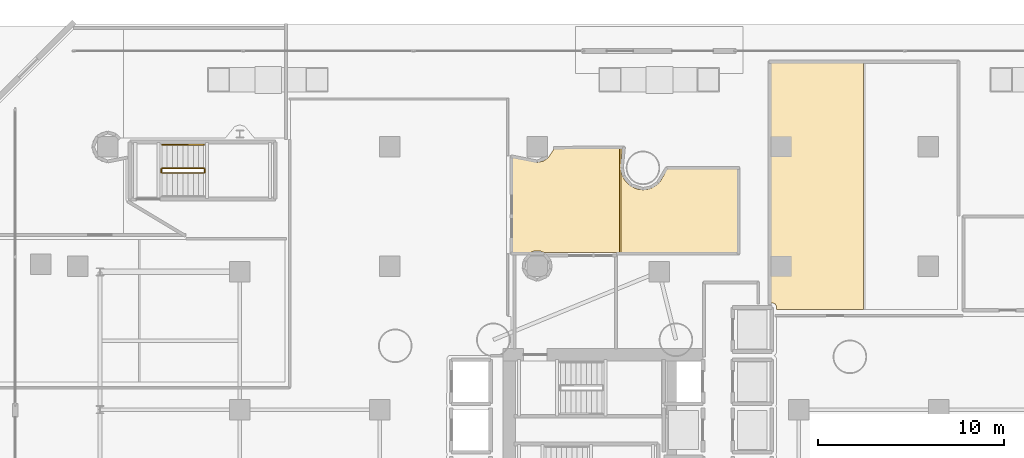
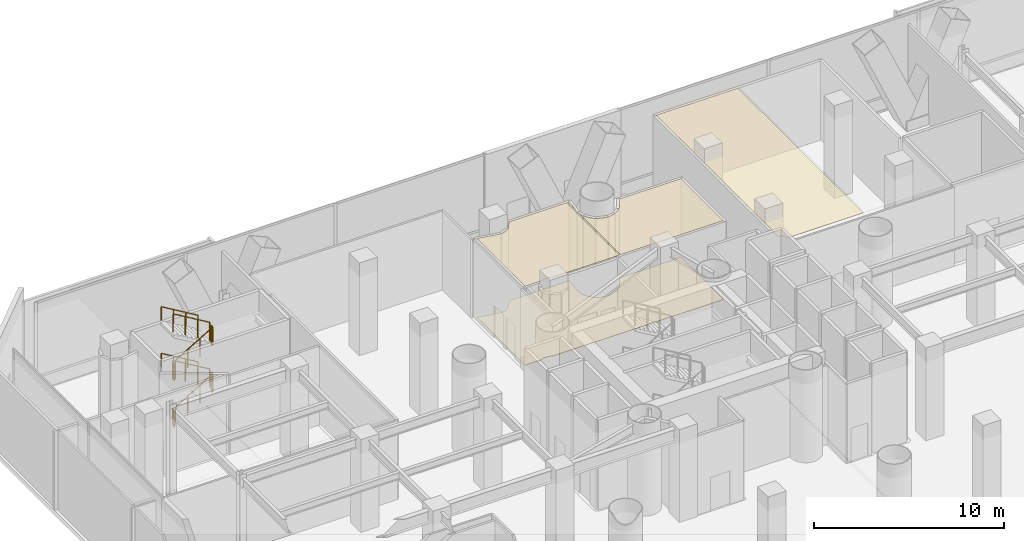
# One storey, part 38 of 40: 10 railings, 4 coverings.
"""IFC4 building model written with IfcOpenShell, lengths in metres."""

import ifcopenshell
import ifcopenshell.guid

model = None  # the IFC model being written
_history = None  # IfcOwnerHistory: only IFC2X3 demands one
_inside = {}  # id of a spatial element -> (the spatial element, [elements in it])
_under = {}  # id of a project, library or spatial element -> (it, [spatial elements below it])
_declared = {}  # id of a project -> (the project, [libraries it declares])
_typed = {}  # id of a type object -> (the type object, [elements of that type])
_made_of = {}  # id of a material, layer set ... -> (it, [elements and type objects made of it])


def new_model(schema):
    """Start an empty IFC model of exactly this schema.

    Asked for "IFC4X3", IfcOpenShell would pick the latest addendum, in which some entities
    have other attributes; the version numbers below select the first issue.
    IFC2X3 requires an IfcOwnerHistory on every rooted entity: one is made here for all.
    """
    global model, _history
    if schema == "IFC4X3":
        model = ifcopenshell.file(schema_version=(4, 3, 0, 0))
    else:
        model = ifcopenshell.file(schema=schema)
    _inside.clear()
    _under.clear()
    _declared.clear()
    _typed.clear()
    _made_of.clear()
    _history = None
    if model.schema == "IFC2X3":
        org = make("IfcOrganization", Name="unknown")
        user = make(
            "IfcPersonAndOrganization",
            ThePerson=make("IfcPerson", FamilyName="unknown"),
            TheOrganization=org,
        )
        app = make(
            "IfcApplication",
            ApplicationDeveloper=org,
            Version="unknown",
            ApplicationFullName="unknown",
            ApplicationIdentifier="unknown",
        )
        _history = make(
            "IfcOwnerHistory",
            OwningUser=user,
            OwningApplication=app,
            ChangeAction="ADDED",
            CreationDate=0,
        )
    return model


def make(cls, **values):
    """One entity of the class cls with the attributes given. An attribute that is None is left unset."""
    return model.create_entity(
        cls, **{name: value for name, value in values.items() if value is not None}
    )


def rooted(cls, **values):
    """An entity with a GlobalId (a new one), such as an element, a storey or a relation."""
    return make(cls, GlobalId=ifcopenshell.guid.new(), OwnerHistory=_history, **values)


def si_unit(unit_type, name, prefix=None):
    """IfcSIUnit, for example si_unit("LENGTHUNIT", "METRE", prefix="MILLI")."""
    return make("IfcSIUnit", UnitType=unit_type, Prefix=prefix, Name=name)


def assignment(units):
    """IfcUnitAssignment: the units of a project."""
    return None if units is None else make("IfcUnitAssignment", Units=units)


def point(xyz):
    """IfcCartesianPoint."""
    return None if xyz is None else make("IfcCartesianPoint", Coordinates=xyz)


def direction(xyz):
    """IfcDirection."""
    return None if xyz is None else make("IfcDirection", DirectionRatios=xyz)


def frame(location, z_axis=None, x_axis=None):
    """IfcAxis2Placement3D, a coordinate frame: its origin and axes. An axis left out is left unset."""
    return make(
        "IfcAxis2Placement3D",
        Location=point(location),
        Axis=direction(z_axis),
        RefDirection=direction(x_axis),
    )


def frame_2d(location, x_axis=None):
    """IfcAxis2Placement2D, a coordinate frame in the plane: its origin and x axis."""
    return make(
        "IfcAxis2Placement2D", Location=point(location), RefDirection=direction(x_axis)
    )


def origin():
    """The frame at (0, 0, 0) with its axes left unset."""
    return frame((0.0, 0.0, 0.0))


def origin_2d():
    """The frame at (0, 0) in the plane with its x axis left unset."""
    return frame_2d((0.0, 0.0))


def place(relative_to, where):
    """IfcLocalPlacement: puts the frame where relative to a parent placement (None: the world)."""
    return make(
        "IfcLocalPlacement", PlacementRelTo=relative_to, RelativePlacement=where
    )


def context(
    kind, dimensions, precision=None, world=None, true_north=None, identifier=None
):
    """IfcGeometricRepresentationContext, for example the 3D "Model" context."""
    return make(
        "IfcGeometricRepresentationContext",
        ContextIdentifier=identifier,
        ContextType=kind,
        CoordinateSpaceDimension=dimensions,
        Precision=precision,
        WorldCoordinateSystem=world,
        TrueNorth=true_north,
    )


def subcontext(parent, identifier, kind, view, scale=None):
    """IfcGeometricRepresentationSubContext, for example "Body" below "Model"."""
    return make(
        "IfcGeometricRepresentationSubContext",
        ContextIdentifier=identifier,
        ContextType=kind,
        ParentContext=parent,
        TargetScale=scale,
        TargetView=view,
    )


def project(units=None, contexts=None):
    """IfcProject with its units and contexts."""
    return rooted(
        "IfcProject",
        Name="project",
        RepresentationContexts=contexts,
        UnitsInContext=assignment(units),
    )


def spatial(cls, under=None, at=None, **own):
    """A site, building, storey or space (cls), placed at a placement, below another one or the project."""
    s = rooted(cls, ObjectPlacement=at, **own)
    if under is not None:
        _under.setdefault(under.id(), (under, []))[1].append(s)
    return s


def polyline(points):
    """IfcPolyline through the points."""
    return make("IfcPolyline", Points=[point(p) for p in points])


def profile(cls, at=None, kind="AREA", **sizes):
    """A parametric profile (cls). Its sizes go by their IFC names, for example OverallWidth=200.0."""
    return make(cls, ProfileType=kind, Position=at, **sizes)


def rectangle(**sizes):
    """IfcRectangleProfileDef."""
    return profile("IfcRectangleProfileDef", **sizes)


def outline(outer, holes=None, kind="AREA"):
    """IfcArbitraryClosedProfileDef: a profile drawn as a closed curve; with holes, ...WithVoids."""
    if holes is None:
        return make("IfcArbitraryClosedProfileDef", ProfileType=kind, OuterCurve=outer)
    return make(
        "IfcArbitraryProfileDefWithVoids",
        ProfileType=kind,
        OuterCurve=outer,
        InnerCurves=holes,
    )


def extrude(swept, where, along, depth):
    """IfcExtrudedAreaSolid: the profile swept, set in the frame where, extruded along a direction by depth."""
    return make(
        "IfcExtrudedAreaSolid",
        SweptArea=swept,
        Position=where,
        ExtrudedDirection=direction(along),
        Depth=depth,
    )


def shape(context_of_items, identifier, shape_type, items):
    """IfcShapeRepresentation: the items that make up one representation, for example the "Body"."""
    return make(
        "IfcShapeRepresentation",
        ContextOfItems=context_of_items,
        RepresentationIdentifier=identifier,
        RepresentationType=shape_type,
        Items=items,
    )


def material(Name=None, Category=None):
    """IfcMaterial."""
    return make("IfcMaterial", Name=Name, Category=Category)


def layer(
    of_material, thickness, ventilated=None, Name=None, Category=None, Priority=None
):
    """IfcMaterialLayer: one layer of a wall or slab, of a material (None: an air gap)."""
    return make(
        "IfcMaterialLayer",
        Material=of_material,
        LayerThickness=thickness,
        IsVentilated=ventilated,
        Name=Name,
        Category=Category,
        Priority=Priority,
    )


def layer_set(layers, Name=None):
    """IfcMaterialLayerSet."""
    return make("IfcMaterialLayerSet", MaterialLayers=layers, LayerSetName=Name)


def made_of(thing, what):
    """Note that an element or type object is made of a material, layer set ...; save() writes the relation."""
    if what is not None:
        _made_of.setdefault(what.id(), (what, []))[1].append(thing)
    return thing


def type_object(cls, material=None, **own):
    """A type object (cls), such as IfcWallType, which elements share."""
    return made_of(rooted(cls, **own), material)


def element(
    cls,
    number,
    at=None,
    inside=None,
    cuts=None,
    type_object=None,
    material=None,
    context=None,
    identifier="Body",
    shape_type=None,
    held_by="IfcProductDefinitionShape",
    body=None,
    shapes=None,
    **own,
):
    """One element of the class cls, such as IfcWall. Its Tag is "e" and its number.

    at: its placement. inside: the storey or other place that contains it. cuts: it is an
    opening in that element (IfcRelVoidsElement). A single representation is given by context,
    identifier, shape_type and body (its items); several are given by shapes. held_by: the class
    of the entity that holds the representations. save() writes the other relations.
    """
    e = rooted(cls, Tag="e%d" % number, ObjectPlacement=at, **own)
    if body is not None:
        shapes = [shape(context, identifier, shape_type, body)]
    if shapes is not None:
        e.Representation = make(held_by, Representations=shapes)
    if inside is not None:
        _inside.setdefault(inside.id(), (inside, []))[1].append(e)
    if cuts is not None:
        rooted(
            "IfcRelVoidsElement", RelatingBuildingElement=cuts, RelatedOpeningElement=e
        )
    if type_object is not None:
        _typed.setdefault(type_object.id(), (type_object, []))[1].append(e)
    return made_of(e, material)


def aggregate(whole, parts):
    """IfcRelAggregates: a whole, such as a stair, and the parts it consists of."""
    return rooted("IfcRelAggregates", RelatingObject=whole, RelatedObjects=parts)


def save(model, path):
    """Write the relations noted so far, then the file.

    IfcRelAggregates (storeys below a building ...), IfcRelContainedInSpatialStructure (elements
    in a storey), IfcRelDefinesByType, IfcRelAssociatesMaterial and IfcRelDeclares: one each for
    every whole, place, type object, material and project.
    """
    for whole, parts in _under.values():
        aggregate(whole, parts)
    for where, things in _inside.values():
        rooted(
            "IfcRelContainedInSpatialStructure",
            RelatedElements=things,
            RelatingStructure=where,
        )
    for kind, things in _typed.values():
        rooted("IfcRelDefinesByType", RelatedObjects=things, RelatingType=kind)
    for what, things in _made_of.values():
        rooted("IfcRelAssociatesMaterial", RelatedObjects=things, RelatingMaterial=what)
    for by, libraries in _declared.values():
        rooted("IfcRelDeclares", RelatingContext=by, RelatedDefinitions=libraries)
    model.write(path)


model = new_model("IFC4")

# Units and contexts
model_context = context("Model", 3, precision=1e-05, world=origin(), true_north=direction((0.0, 1.0)))
body_context = subcontext(model_context, "Body", "Model", "MODEL_VIEW")
ifc_project = project(units=[si_unit("LENGTHUNIT", "METRE"), si_unit("AREAUNIT", "SQUARE_METRE"), si_unit("VOLUMEUNIT", "CUBIC_METRE"), si_unit("PLANEANGLEUNIT", "RADIAN"), si_unit("MASSUNIT", "GRAM", prefix="KILO")], contexts=[model_context])

# Site, building, storey
site_placement = place(None, origin())
site = spatial("IfcSite", under=ifc_project, at=site_placement, CompositionType="ELEMENT")
building_placement = place(site_placement, origin())
building = spatial("IfcBuilding", under=site, at=building_placement, Name="Qianvela Tower", CompositionType="ELEMENT")
storey_placement = place(building_placement, origin())
storey = spatial("IfcBuildingStorey", under=building, at=storey_placement, Name="L00", CompositionType="ELEMENT", Elevation=0.0)

# Coverings
ifc_material_1 = material(Name="Perforated Mineral Acoustic Ceiling Tile")
ifc_layer_1 = layer(ifc_material_1, 0.02490234375)
ifc_layer_set_1 = layer_set([ifc_layer_1], Name="Perforated Mineral Acoustic Ceiling Tile")
covering_type_1 = type_object("IfcCoveringType", Name="COV-CEIL-ACOUSTIC-25", PredefinedType="CEILING", material=ifc_layer_set_1)
covering_1_placement = place(storey_placement, frame((0.0, 0.0, 5.074951171875)))
element("IfcCovering", 1, at=covering_1_placement, inside=storey, type_object=covering_type_1, Name="L00 Acoustic Ceiling Bay 1 L00 Protected Exit Passageway North", PredefinedType="CEILING", context=body_context, shape_type="SweptSolid", body=[
    extrude(outline(polyline([(30.939697265625, 43.071533203125), (30.947509765625, 43.0703125), (30.955322265625, 43.070068359375), (30.963134765625, 43.0703125), (30.970947265625, 43.071533203125), (31.258056640625, 43.128662109375), (31.265625, 43.130615234375), (31.27294921875, 43.13330078125), (31.280029296875, 43.136474609375), (31.286865234375, 43.140625), (31.5302734375, 43.30322265625), (31.53662109375, 43.307861328125), (31.542236328125, 43.31298828125), (31.547607421875, 43.31884765625), (31.55224609375, 43.3251953125), (31.873046875, 43.805419921875), (35.367919921875, 43.814208984375), (35.367919921875, 38.239990234375), (31.318359375, 38.239990234375), (31.129638671875, 38.310546875), (31.122802734375, 38.312744140625), (31.115966796875, 38.314208984375), (31.10888671875, 38.315185546875), (31.101806640625, 38.315673828125), (30.80908203125, 38.315673828125), (30.802001953125, 38.315185546875), (30.794921875, 38.314208984375), (30.787841796875, 38.312744140625), (30.781005859375, 38.310546875), (30.59228515625, 38.239990234375), (29.6298828125, 38.239990234375), (29.6298828125, 43.33203125), (30.939697265625, 43.071533203125)])), origin(), (0.0, 0.0, 1.0), 0.025146484375),
])
covering_2_placement = place(storey_placement, frame((0.0, 0.0, 5.074951171875)))
element("IfcCovering", 2, at=covering_2_placement, inside=storey, type_object=covering_type_1, Name="L00 Acoustic Ceiling Bay 2 L00 Protected Exit Passageway North", PredefinedType="CEILING", context=body_context, shape_type="SweptSolid", body=[
    extrude(outline(polyline([(35.5537109375, 43.814697265625), (35.452392578125, 42.785888671875), (35.451904296875, 42.778076171875), (35.452392578125, 42.770263671875), (35.473388671875, 42.5556640625), (35.474609375, 42.5478515625), (35.4765625, 42.540283203125), (35.539306640625, 42.333740234375), (35.541748046875, 42.326416015625), (35.545166015625, 42.3193359375), (35.646728515625, 42.129150390625), (35.65087890625, 42.122314453125), (35.655517578125, 42.1162109375), (35.792236328125, 41.949462890625), (35.797607421875, 41.943603515625), (35.803466796875, 41.938232421875), (35.97021484375, 41.801513671875), (35.976318359375, 41.796875), (35.983154296875, 41.792724609375), (36.17333984375, 41.691162109375), (36.180419921875, 41.687744140625), (36.187744140625, 41.685302734375), (36.394287109375, 41.62255859375), (36.40185546875, 41.62060546875), (36.40966796875, 41.619384765625), (36.624267578125, 41.598388671875), (36.632080078125, 41.597900390625), (36.639892578125, 41.598388671875), (36.8544921875, 41.619384765625), (36.8623046875, 41.62060546875), (36.869873046875, 41.62255859375), (37.076171875, 41.685302734375), (37.08349609375, 41.687744140625), (37.0908203125, 41.691162109375), (37.28076171875, 41.792724609375), (37.28759765625, 41.796875), (37.2939453125, 41.801513671875), (37.460693359375, 41.938232421875), (37.46630859375, 41.943603515625), (37.4716796875, 41.949462890625), (37.6083984375, 42.1162109375), (37.613037109375, 42.122314453125), (37.6171875, 42.129150390625), (37.93212890625, 42.718505859375), (41.719970703125, 42.72802734375), (41.719970703125, 38.239990234375), (35.44775390625, 38.239990234375), (35.44775390625, 43.814453125), (35.5537109375, 43.814697265625)])), origin(), (0.0, 0.0, 1.0), 0.025146484375),
])
covering_3_placement = place(storey_placement, frame((0.0, 0.0, 5.074951171875)))
element("IfcCovering", 3, at=covering_3_placement, inside=storey, type_object=covering_type_1, Name="L00 Acoustic Ceiling Bay 1 Concourse Public Washrooms", PredefinedType="CEILING", context=body_context, shape_type="SweptSolid", body=[
    extrude(outline(polyline([(43.7998046875, 35.179931640625), (43.79931640625, 35.31396484375), (43.798828125, 35.32275390625), (43.79736328125, 35.331298828125), (43.794921875, 35.33984375), (43.79150390625, 35.347900390625), (43.751220703125, 35.43310546875), (43.74755859375, 35.440185546875), (43.743408203125, 35.44677734375), (43.73828125, 35.45263671875), (43.732666015625, 35.458251953125), (43.726806640625, 35.46337890625), (43.72021484375, 35.467529296875), (43.713134765625, 35.47119140625), (43.6279296875, 35.51171875), (43.619873046875, 35.514892578125), (43.611328125, 35.517333984375), (43.602783203125, 35.518798828125), (43.593994140625, 35.519287109375), (43.47998046875, 35.519775390625), (43.47998046875, 48.419921875), (48.463623046875, 48.419921875), (48.463623046875, 35.179931640625), (43.7998046875, 35.179931640625)])), origin(), (0.0, 0.0, 1.0), 0.025146484375),
])
ifc_material_2 = material(Name="Honed Stone Terrazzo Flooring", Category="masonry")
ifc_layer_2 = layer(ifc_material_2, 0.030029296875)
ifc_layer_set_2 = layer_set([ifc_layer_2], Name="Honed Stone Terrazzo Flooring")
covering_type_2 = type_object("IfcCoveringType", Name="COV-FLOOR-TERRAZZO-30", PredefinedType="FLOORING", material=ifc_layer_set_2)
covering_4_placement = place(storey_placement, origin())
element("IfcCovering", 4, at=covering_4_placement, inside=storey, type_object=covering_type_2, Name="L00 Finish Flooring L00 Protected Exit Passageway North", PredefinedType="FLOORING", context=body_context, shape_type="SweptSolid", body=[
    extrude(outline(polyline([(29.6298828125, 43.33203125), (30.939697265625, 43.071533203125), (30.947509765625, 43.0703125), (30.955322265625, 43.070068359375), (30.963134765625, 43.0703125), (30.970947265625, 43.071533203125), (31.258056640625, 43.128662109375), (31.265625, 43.130615234375), (31.27294921875, 43.13330078125), (31.280029296875, 43.136474609375), (31.286865234375, 43.140625), (31.5302734375, 43.30322265625), (31.53662109375, 43.307861328125), (31.542236328125, 43.31298828125), (31.547607421875, 43.31884765625), (31.55224609375, 43.3251953125), (31.873046875, 43.805419921875), (35.5537109375, 43.814697265625), (35.452392578125, 42.785888671875), (35.451904296875, 42.778076171875), (35.452392578125, 42.770263671875), (35.473388671875, 42.5556640625), (35.474609375, 42.5478515625), (35.4765625, 42.540283203125), (35.539306640625, 42.333740234375), (35.541748046875, 42.326416015625), (35.545166015625, 42.3193359375), (35.646728515625, 42.129150390625), (35.65087890625, 42.122314453125), (35.655517578125, 42.1162109375), (35.792236328125, 41.949462890625), (35.797607421875, 41.943603515625), (35.803466796875, 41.938232421875), (35.97021484375, 41.801513671875), (35.976318359375, 41.796875), (35.983154296875, 41.792724609375), (36.17333984375, 41.691162109375), (36.180419921875, 41.687744140625), (36.187744140625, 41.685302734375), (36.394287109375, 41.62255859375), (36.40185546875, 41.62060546875), (36.40966796875, 41.619384765625), (36.624267578125, 41.598388671875), (36.632080078125, 41.597900390625), (36.639892578125, 41.598388671875), (36.8544921875, 41.619384765625), (36.8623046875, 41.62060546875), (36.869873046875, 41.62255859375), (37.076171875, 41.685302734375), (37.08349609375, 41.687744140625), (37.0908203125, 41.691162109375), (37.28076171875, 41.792724609375), (37.28759765625, 41.796875), (37.2939453125, 41.801513671875), (37.460693359375, 41.938232421875), (37.46630859375, 41.943603515625), (37.4716796875, 41.949462890625), (37.6083984375, 42.1162109375), (37.613037109375, 42.122314453125), (37.6171875, 42.129150390625), (37.93212890625, 42.718505859375), (41.719970703125, 42.72802734375), (41.719970703125, 38.239990234375), (31.318359375, 38.239990234375), (31.129638671875, 38.310546875), (31.122802734375, 38.312744140625), (31.115966796875, 38.314208984375), (31.10888671875, 38.315185546875), (31.101806640625, 38.315673828125), (30.80908203125, 38.315673828125), (30.802001953125, 38.315185546875), (30.794921875, 38.314208984375), (30.787841796875, 38.312744140625), (30.781005859375, 38.310546875), (30.59228515625, 38.239990234375), (29.6298828125, 38.239990234375), (29.6298828125, 43.33203125)])), origin(), (0.0, 0.0, 1.0), 0.030029296875),
])

# Railings
ifc_material_3 = material(Name="Painted Tubular Steel Q355B", Category="steel")
railing_type_1 = type_object("IfcRailingType", Name="RL-STAIR-GUARD-1200", PredefinedType="GUARDRAIL", material=ifc_material_3)
railing_1_placement = place(storey_placement, frame((10.820068359375, 42.5, 0.166748046875)))
element("IfcRailing", 5, at=railing_1_placement, inside=storey, type_object=railing_type_1, Name="L00 ST-3 stair guard 1", PredefinedType="GUARDRAIL", context=body_context, shape_type="SweptSolid", body=[
    extrude(rectangle(XDim=0.050048828125, YDim=0.0400390625, at=origin_2d()), frame((0.0, 0.0, 1.179931640625), z_axis=(0.859305625298, 0.0, 0.511462454469), x_axis=(0.0, 1.0, 0.0)), (0.0, 0.0, 1.0), 2.606689453125),
    extrude(rectangle(XDim=0.050048828125, YDim=0.050048828125, at=origin_2d()), origin(), (0.0, 0.0, 1.0), 1.159912109375),
    extrude(rectangle(XDim=0.050048828125, YDim=0.050048828125, at=origin_2d()), frame((0.74658203125, 0.0, 0.4443359375)), (0.0, 0.0, 1.0), 1.159912109375),
    extrude(rectangle(XDim=0.050048828125, YDim=0.050048828125, at=origin_2d()), frame((1.493408203125, 0.0, 0.888916015625)), (0.0, 0.0, 1.0), 1.159912109375),
    extrude(rectangle(XDim=0.050048828125, YDim=0.050048828125, at=origin_2d()), frame((2.239990234375, 0.0, 1.333251953125)), (0.0, 0.0, 1.0), 1.159912109375),
])
railing_2_placement = place(storey_placement, frame((13.110107421875, 42.550048828125, 1.5)))
element("IfcRailing", 6, at=railing_2_placement, inside=storey, type_object=railing_type_1, Name="L00 ST-3 stair guard 2", PredefinedType="GUARDRAIL", context=body_context, shape_type="SweptSolid", body=[
    extrude(rectangle(XDim=0.050048828125, YDim=0.0400390625, at=origin_2d()), frame((0.0, 0.0, 1.179931640625), z_axis=(0.0, 1.0, 0.0), x_axis=(-1.0, 0.0, 0.0)), (0.0, 0.0, 1.0), 0.159912109375),
    extrude(rectangle(XDim=0.050048828125, YDim=0.050048828125, at=origin_2d()), origin(), (0.0, 0.0, 1.0), 1.159912109375),
    extrude(rectangle(XDim=0.050048828125, YDim=0.050048828125, at=origin_2d()), frame((0.0, 0.159912109375, 0.0)), (0.0, 0.0, 1.0), 1.159912109375),
])
railing_3_placement = place(storey_placement, frame((13.06005859375, 42.760009765625, 1.666748046875)))
element("IfcRailing", 7, at=railing_3_placement, inside=storey, type_object=railing_type_1, Name="L00 ST-3 stair guard 3", PredefinedType="GUARDRAIL", context=body_context, shape_type="SweptSolid", body=[
    extrude(rectangle(XDim=0.050048828125, YDim=0.0400390625, at=origin_2d()), frame((0.0, 0.0, 1.179931640625), z_axis=(-0.859305625298, 0.0, 0.511462454469), x_axis=(0.0, -1.0, 0.0)), (0.0, 0.0, 1.0), 2.606689453125),
    extrude(rectangle(XDim=0.050048828125, YDim=0.050048828125, at=origin_2d()), origin(), (0.0, 0.0, 1.0), 1.159912109375),
    extrude(rectangle(XDim=0.050048828125, YDim=0.050048828125, at=origin_2d()), frame((-0.74658203125, 0.0, 0.4443359375)), (0.0, 0.0, 1.0), 1.159912109375),
    extrude(rectangle(XDim=0.050048828125, YDim=0.050048828125, at=origin_2d()), frame((-1.493408203125, 0.0, 0.888916015625)), (0.0, 0.0, 1.0), 1.159912109375),
    extrude(rectangle(XDim=0.050048828125, YDim=0.050048828125, at=origin_2d()), frame((-2.239990234375, 0.0, 1.333251953125)), (0.0, 0.0, 1.0), 1.159912109375),
])
railing_4_placement = place(storey_placement, frame((10.77001953125, 42.550048828125, 3.0)))
element("IfcRailing", 8, at=railing_4_placement, inside=storey, type_object=railing_type_1, Name="L00 ST-3 stair guard 4", PredefinedType="GUARDRAIL", context=body_context, shape_type="SweptSolid", body=[
    extrude(rectangle(XDim=0.050048828125, YDim=0.0400390625, at=origin_2d()), frame((0.0, 0.0, 1.179931640625), z_axis=(0.0, 1.0, 0.0), x_axis=(-1.0, 0.0, 0.0)), (0.0, 0.0, 1.0), 0.159912109375),
    extrude(rectangle(XDim=0.050048828125, YDim=0.050048828125, at=origin_2d()), origin(), (0.0, 0.0, 1.0), 1.159912109375),
    extrude(rectangle(XDim=0.050048828125, YDim=0.050048828125, at=origin_2d()), frame((0.0, 0.159912109375, 0.0)), (0.0, 0.0, 1.0), 1.159912109375),
])
railing_5_placement = place(storey_placement, frame((10.820068359375, 42.5, 3.166748046875)))
element("IfcRailing", 9, at=railing_5_placement, inside=storey, type_object=railing_type_1, Name="L00 ST-3 stair guard 5", PredefinedType="GUARDRAIL", context=body_context, shape_type="SweptSolid", body=[
    extrude(rectangle(XDim=0.050048828125, YDim=0.0400390625, at=origin_2d()), frame((0.0, 0.0, 1.179931640625), z_axis=(0.859305625298, 0.0, 0.511462454469), x_axis=(0.0, 1.0, 0.0)), (0.0, 0.0, 1.0), 2.606689453125),
    extrude(rectangle(XDim=0.050048828125, YDim=0.050048828125, at=origin_2d()), origin(), (0.0, 0.0, 1.0), 1.159912109375),
    extrude(rectangle(XDim=0.050048828125, YDim=0.050048828125, at=origin_2d()), frame((0.74658203125, 0.0, 0.4443359375)), (0.0, 0.0, 1.0), 1.159912109375),
    extrude(rectangle(XDim=0.050048828125, YDim=0.050048828125, at=origin_2d()), frame((1.493408203125, 0.0, 0.888916015625)), (0.0, 0.0, 1.0), 1.159912109375),
    extrude(rectangle(XDim=0.050048828125, YDim=0.050048828125, at=origin_2d()), frame((2.239990234375, 0.0, 1.333251953125)), (0.0, 0.0, 1.0), 1.159912109375),
])
railing_6_placement = place(storey_placement, frame((13.110107421875, 42.550048828125, 4.5)))
element("IfcRailing", 10, at=railing_6_placement, inside=storey, type_object=railing_type_1, Name="L00 ST-3 stair guard 6", PredefinedType="GUARDRAIL", context=body_context, shape_type="SweptSolid", body=[
    extrude(rectangle(XDim=0.050048828125, YDim=0.0400390625, at=origin_2d()), frame((0.0, 0.0, 1.179931640625), z_axis=(0.0, 1.0, 0.0), x_axis=(-1.0, 0.0, 0.0)), (0.0, 0.0, 1.0), 0.159912109375),
    extrude(rectangle(XDim=0.050048828125, YDim=0.050048828125, at=origin_2d()), origin(), (0.0, 0.0, 1.0), 1.159912109375),
    extrude(rectangle(XDim=0.050048828125, YDim=0.050048828125, at=origin_2d()), frame((0.0, 0.159912109375, 0.0)), (0.0, 0.0, 1.0), 1.159912109375),
])
railing_7_placement = place(storey_placement, frame((13.06005859375, 42.760009765625, 4.666748046875)))
element("IfcRailing", 11, at=railing_7_placement, inside=storey, type_object=railing_type_1, Name="L00 ST-3 stair guard 7", PredefinedType="GUARDRAIL", context=body_context, shape_type="SweptSolid", body=[
    extrude(rectangle(XDim=0.050048828125, YDim=0.0400390625, at=origin_2d()), frame((0.0, 0.0, 1.179931640625), z_axis=(-0.859305625298, 0.0, 0.511462454469), x_axis=(0.0, -1.0, 0.0)), (0.0, 0.0, 1.0), 2.606689453125),
    extrude(rectangle(XDim=0.050048828125, YDim=0.050048828125, at=origin_2d()), origin(), (0.0, 0.0, 1.0), 1.159912109375),
    extrude(rectangle(XDim=0.050048828125, YDim=0.050048828125, at=origin_2d()), frame((-0.74658203125, 0.0, 0.4443359375)), (0.0, 0.0, 1.0), 1.159912109375),
    extrude(rectangle(XDim=0.050048828125, YDim=0.050048828125, at=origin_2d()), frame((-1.493408203125, 0.0, 0.888916015625)), (0.0, 0.0, 1.0), 1.159912109375),
    extrude(rectangle(XDim=0.050048828125, YDim=0.050048828125, at=origin_2d()), frame((-2.239990234375, 0.0, 1.333251953125)), (0.0, 0.0, 1.0), 1.159912109375),
])
railing_8_placement = place(storey_placement, frame((10.77001953125, 42.550048828125, 0.0)))
element("IfcRailing", 12, at=railing_8_placement, inside=storey, type_object=railing_type_1, Name="L00 ST-3 stair guard 8", PredefinedType="GUARDRAIL", context=body_context, shape_type="SweptSolid", body=[
    extrude(rectangle(XDim=0.050048828125, YDim=0.0400390625, at=origin_2d()), frame((0.0, 0.0, 1.179931640625), z_axis=(0.0, 1.0, 0.0), x_axis=(-1.0, 0.0, 0.0)), (0.0, 0.0, 1.0), 0.159912109375),
    extrude(rectangle(XDim=0.050048828125, YDim=0.050048828125, at=origin_2d()), origin(), (0.0, 0.0, 1.0), 1.159912109375),
    extrude(rectangle(XDim=0.050048828125, YDim=0.050048828125, at=origin_2d()), frame((0.0, 0.159912109375, 0.0)), (0.0, 0.0, 1.0), 1.159912109375),
])
ifc_material_4 = material(Name="Brushed Stainless Steel 304", Category="steel")
railing_type_2 = type_object("IfcRailingType", Name="RL-STAIR-HANDRAIL-900", PredefinedType="HANDRAIL", material=ifc_material_4)
for number, where, name in (
    (13, (13.06005859375, 44.010009765625, 1.666748046875), "L00 ST-3 stair handrail 2"),
    (14, (13.06005859375, 44.010009765625, 4.666748046875), "L00 ST-3 stair handrail 4"),
):
    element("IfcRailing", number, at=place(storey_placement, frame(where)), inside=storey, type_object=railing_type_2, Name=name, PredefinedType="HANDRAIL", context=body_context, shape_type="SweptSolid", body=[
        extrude(rectangle(XDim=0.050048828125, YDim=0.0400390625, at=origin_2d()), frame((0.0, 0.0, 0.8798828125), z_axis=(-0.859305625298, 0.0, 0.511462454469), x_axis=(0.0, -1.0, 0.0)), (0.0, 0.0, 1.0), 2.606689453125),
        extrude(rectangle(XDim=0.050048828125, YDim=0.050048828125, at=origin_2d()), origin(), (0.0, 0.0, 1.0), 0.85986328125),
        extrude(rectangle(XDim=0.050048828125, YDim=0.050048828125, at=origin_2d()), frame((-0.74658203125, 0.0, 0.4443359375)), (0.0, 0.0, 1.0), 0.85986328125),
        extrude(rectangle(XDim=0.050048828125, YDim=0.050048828125, at=origin_2d()), frame((-1.493408203125, 0.0, 0.888916015625)), (0.0, 0.0, 1.0), 0.85986328125),
        extrude(rectangle(XDim=0.050048828125, YDim=0.050048828125, at=origin_2d()), frame((-2.239990234375, 0.0, 1.333251953125)), (0.0, 0.0, 1.0), 0.85986328125),
    ])

save(model, "model.ifc")
